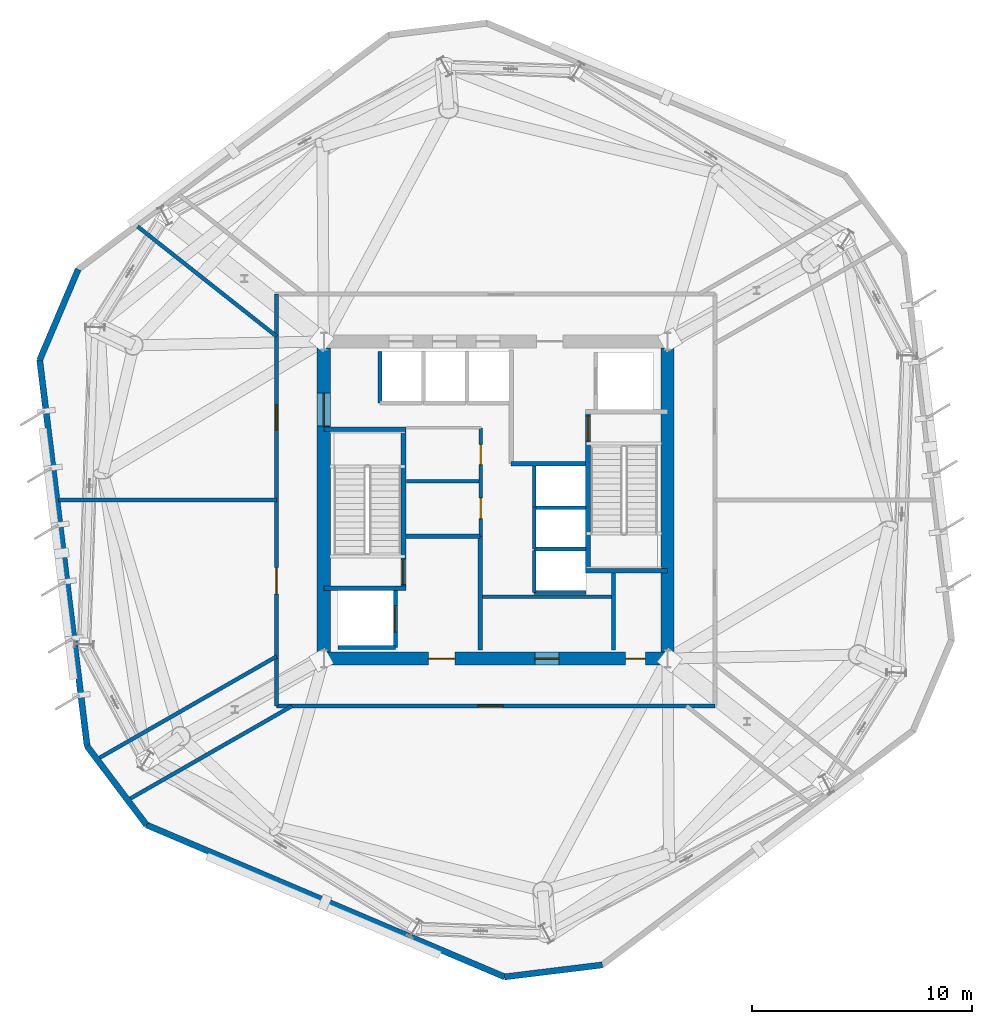
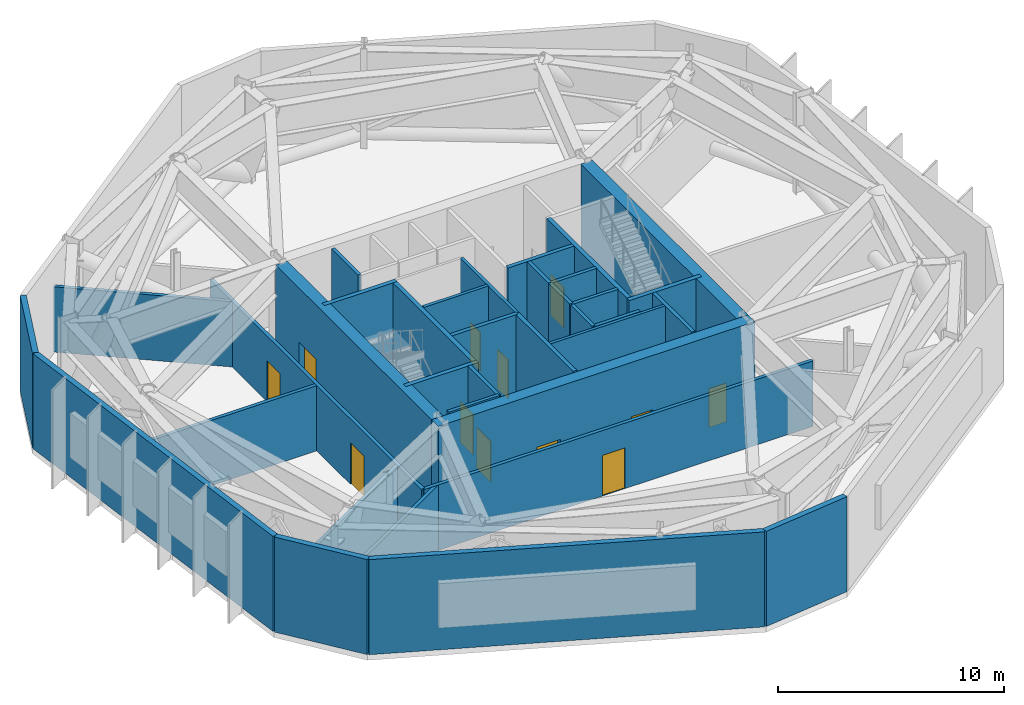
# One storey, part 6 of 11: 35 walls, 12 doors, 12 openings.
"""IFC4 building model written with IfcOpenShell, lengths in metres."""

from ifc_helpers import new_model, si_unit, direction, frame, frame_2d, origin, place, context, subcontext, project, spatial, rectangle, extrude, material, layer, layer_set, type_object, element, fill, save


model = new_model("IFC4")

# Units and contexts
model_context = context("Model", 3, precision=1e-05, world=origin(), true_north=direction((0.0, 1.0)))
body_context = subcontext(model_context, "Body", "Model", "MODEL_VIEW")
ifc_project = project(units=[si_unit("LENGTHUNIT", "METRE"), si_unit("AREAUNIT", "SQUARE_METRE"), si_unit("VOLUMEUNIT", "CUBIC_METRE"), si_unit("PLANEANGLEUNIT", "RADIAN"), si_unit("MASSUNIT", "GRAM", prefix="KILO")], contexts=[model_context])

# Site, building, storey
site_placement = place(None, origin())
site = spatial("IfcSite", under=ifc_project, at=site_placement, CompositionType="ELEMENT")
building_placement = place(site_placement, origin())
building = spatial("IfcBuilding", under=site, at=building_placement, Name="Kranzbogen Civic Tower", CompositionType="ELEMENT")
storey_placement = place(building_placement, frame((0.0, 0.0, 170.39990234375)))
storey = spatial("IfcBuildingStorey", under=building, at=storey_placement, Name="L41", CompositionType="ELEMENT", Elevation=170.39990234375)

# Wall
ifc_material_1 = material(Name="Double-Stud Acoustic Gypsum Partition")
ifc_layer_1 = layer(ifc_material_1, 0.14990234375, Name="Double-Stud Acoustic Gypsum Partition")
ifc_layer_set_1 = layer_set([ifc_layer_1], Name="Double-Stud Acoustic Gypsum Partition")
wall_type_1 = type_object("IfcWallType", Name="Acoustic Corridor and Clinical Partition 150 mm", PredefinedType="PARTITIONING", material=ifc_layer_set_1)
wall_1_placement = place(storey_placement, frame((24.39990234375, 20.610107421875, 0.0), z_axis=(0.0, 0.0, 1.0), x_axis=(1.0, 0.0, 0.0)))
element("IfcWall", 1, at=wall_1_placement, inside=storey, type_object=wall_type_1, Name="L41 records zone North wall", PredefinedType="PARTITIONING", context=body_context, shape_type="SweptSolid", body=[
    extrude(rectangle(XDim=5.900146484375, YDim=0.14990234375, at=frame_2d((2.9501953125, 0.0))), origin(), (0.0, 0.0, 1.0), 5.14013671875),
])

# Wall, openings, doors
ifc_material_2 = material(Name="Concrete C55/67", Category="concrete")
ifc_layer_2 = layer(ifc_material_2, 0.60009765625, Name="Concrete C55/67")
ifc_layer_set_2 = layer_set([ifc_layer_2], Name="Concrete C55/67")
wall_type_2 = type_object("IfcWallType", Name="Central Core Shear Wall 600 mm", PredefinedType="SHEAR", material=ifc_layer_set_2)
wall_2_placement = place(storey_placement, frame((16.89990234375, 17.800048828125, 0.0), z_axis=(0.0, 0.0, 1.0), x_axis=(1.0, 0.0, 0.0)))
wall_2 = element("IfcWall", 2, at=wall_2_placement, inside=storey, type_object=wall_type_2, Name="L41 central core South shear wall", PredefinedType="SHEAR", context=body_context, shape_type="SweptSolid", body=[
    extrude(rectangle(XDim=16.2001953125, YDim=0.60009765625, at=frame_2d((8.10009765625, 0.0))), origin(), (0.0, 0.0, 1.0), 5.14013671875),
])
opening_1_placement = place(wall_2_placement, frame((5.050048828125, 0.0, 0.0)))
opening_1 = element("IfcOpeningElement", 3, at=opening_1_placement, cuts=wall_2, Name="Opening D-EX120", PredefinedType="OPENING", context=body_context, shape_type="SweptSolid", body=[
    extrude(rectangle(XDim=1.199951171875, YDim=2.25, at=frame_2d((0.60009765625, 1.125))), frame((0.0, 0.31005859375, 0.0), z_axis=(0.0, -1.0, 0.0), x_axis=(1.0, 0.0, 0.0)), (0.0, 0.0, 1.0), 0.6201171875),
])
opening_2_placement = place(wall_2_placement, frame((14.0, 0.0, 0.0)))
opening_2 = element("IfcOpeningElement", 4, at=opening_2_placement, cuts=wall_2, Name="Opening D-WC90", PredefinedType="OPENING", context=body_context, shape_type="SweptSolid", body=[
    extrude(rectangle(XDim=0.89990234375, YDim=2.10009765625, at=frame_2d((0.449951171875, 1.050048828125))), frame((0.0, 0.31005859375, 0.0), z_axis=(0.0, -1.0, 0.0), x_axis=(1.0, 0.0, 0.0)), (0.0, 0.0, 1.0), 0.6201171875),
])
opening_3_placement = place(wall_2_placement, frame((9.875, 0.0, 0.0)))
opening_3 = element("IfcOpeningElement", 5, at=opening_3_placement, cuts=wall_2, Name="Opening D-COR60", PredefinedType="OPENING", context=body_context, shape_type="SweptSolid", body=[
    extrude(rectangle(XDim=1.10009765625, YDim=2.199951171875, at=frame_2d((0.550048828125, 1.10009765625))), frame((0.0, 0.31005859375, 0.0), z_axis=(0.0, -1.0, 0.0), x_axis=(1.0, 0.0, 0.0)), (0.0, 0.0, 1.0), 0.6201171875),
])
ifc_material_3 = material(Name="Oak Timber and Fire Core", Category="wood")
door_type_1 = type_object("IfcDoorType", Name="Corridor Acoustic Fire Door 1100x2200", OperationType="NOTDEFINED", PredefinedType="DOOR", material=ifc_material_3)
door_1_placement = place(opening_3_placement, origin())
door_1 = element("IfcDoor", 6, at=door_1_placement, inside=storey, type_object=door_type_1, Name="L41 REC1 archive room door", OperationType="SINGLE_SWING_RIGHT", OverallHeight=2.199951171875, OverallWidth=1.10009765625, PredefinedType="DOOR", context=body_context, shape_type="SweptSolid", body=[
    extrude(rectangle(XDim=1.10009765625, YDim=2.199951171875, at=frame_2d((0.550048828125, 1.10009765625))), frame((0.0, 0.02490234375, 0.0), z_axis=(0.0, -1.0, 0.0), x_axis=(1.0, 0.0, 0.0)), (0.0, 0.0, 1.0), 0.050048828125),
])
fill(opening_3, door_1)
ifc_material_4 = material(Name="Steel S355", Category="steel")
door_type_2 = type_object("IfcDoorType", Name="Exit Passageway Fire Door 1200x2250", OperationType="NOTDEFINED", PredefinedType="DOOR", material=ifc_material_4)
door_2_placement = place(opening_1_placement, origin())
door_2 = element("IfcDoor", 7, at=door_2_placement, inside=storey, type_object=door_type_2, Name="L41 West firefighting lobby corridor door", OperationType="SINGLE_SWING_LEFT", OverallHeight=2.25, OverallWidth=1.199951171875, PredefinedType="DOOR", context=body_context, shape_type="SweptSolid", body=[
    extrude(rectangle(XDim=1.199951171875, YDim=2.25, at=frame_2d((0.60009765625, 1.125))), frame((0.0, 0.02490234375, 0.0), z_axis=(0.0, -1.0, 0.0), x_axis=(1.0, 0.0, 0.0)), (0.0, 0.0, 1.0), 0.050048828125),
])
fill(opening_1, door_2)
ifc_material_5 = material(Name="Moisture-Resistant Laminate")
door_type_3 = type_object("IfcDoorType", Name="Standard Restroom and Store Door 900x2100", OperationType="NOTDEFINED", PredefinedType="DOOR", material=ifc_material_5)
door_3_placement = place(opening_2_placement, origin())
door_3 = element("IfcDoor", 8, at=door_3_placement, inside=storey, type_object=door_type_3, Name="L41 East electrical riser access door", OperationType="SINGLE_SWING_LEFT", OverallHeight=2.10009765625, OverallWidth=0.89990234375, PredefinedType="DOOR", context=body_context, shape_type="SweptSolid", body=[
    extrude(rectangle(XDim=0.89990234375, YDim=2.10009765625, at=frame_2d((0.449951171875, 1.050048828125))), frame((0.0, 0.02490234375, 0.0), z_axis=(0.0, -1.0, 0.0), x_axis=(1.0, 0.0, 0.0)), (0.0, 0.0, 1.0), 0.050048828125),
])
fill(opening_2, door_3)

# Wall, opening, door
wall_3_placement = place(storey_placement, frame((17.199951171875, 31.89990234375, 0.0), z_axis=(0.0, 0.0, 1.0), x_axis=(0.0, -1.0, 0.0)))
wall_3 = element("IfcWall", 9, at=wall_3_placement, inside=storey, type_object=wall_type_2, Name="L41 central core West shear wall", PredefinedType="SHEAR", context=body_context, shape_type="SweptSolid", body=[
    extrude(rectangle(XDim=13.7998046875, YDim=0.60009765625, at=frame_2d((6.89990234375, 0.0))), origin(), (0.0, 0.0, 1.0), 5.14013671875),
])
opening_4_placement = place(wall_3_placement, frame((2.050048828125, 0.0, 0.0)))
opening_4 = element("IfcOpeningElement", 10, at=opening_4_placement, cuts=wall_3, Name="Opening D-DBL15", PredefinedType="OPENING", context=body_context, shape_type="SweptSolid", body=[
    extrude(rectangle(XDim=1.5, YDim=2.199951171875, at=frame_2d((0.75, 1.10009765625))), frame((0.0, 0.31005859375, 0.0), z_axis=(0.0, -1.0, 0.0), x_axis=(1.0, 0.0, 0.0)), (0.0, 0.0, 1.0), 0.6201171875),
])
ifc_material_6 = material(Name="Anodised Bronze and Glass", Category="glass")
door_type_4 = type_object("IfcDoorType", Name="Civic Lobby Double Door 1500x2200", OperationType="DOUBLE_DOOR_SINGLE_SWING", PredefinedType="DOOR", material=ifc_material_6)
door_4_placement = place(opening_4_placement, origin())
door_4 = element("IfcDoor", 11, at=door_4_placement, inside=storey, type_object=door_type_4, Name="L41 Central Lift Lobby West concourse door", OperationType="DOUBLE_DOOR_SINGLE_SWING", OverallHeight=2.199951171875, OverallWidth=1.5, PredefinedType="DOOR", context=body_context, shape_type="SweptSolid", body=[
    extrude(rectangle(XDim=1.5, YDim=2.199951171875, at=frame_2d((0.75, 1.10009765625))), frame((0.0, 0.02490234375, 0.0), z_axis=(0.0, -1.0, 0.0), x_axis=(1.0, 0.0, 0.0)), (0.0, 0.0, 1.0), 0.050048828125),
])
fill(opening_4, door_4)

# Wall
wall_4_placement = place(storey_placement, frame((32.800048828125, 18.10009765625, 0.0), z_axis=(0.0, 0.0, 1.0), x_axis=(0.0, 1.0, 0.0)))
element("IfcWall", 12, at=wall_4_placement, inside=storey, type_object=wall_type_2, Name="L41 central core East shear wall", PredefinedType="SHEAR", context=body_context, shape_type="SweptSolid", body=[
    extrude(rectangle(XDim=13.7998046875, YDim=0.60009765625, at=frame_2d((6.89990234375, 0.0))), origin(), (0.0, 0.0, 1.0), 5.14013671875),
])

# Wall, opening, door
ifc_material_7 = material(Name="Concrete C45/55", Category="concrete")
ifc_layer_3 = layer(ifc_material_7, 0.219970703125, Name="Concrete C45/55")
ifc_layer_set_3 = layer_set([ifc_layer_3], Name="Concrete C45/55")
wall_type_3 = type_object("IfcWallType", Name="Core Internal Stair Structural Wall 220 mm", PredefinedType="SOLIDWALL", material=ifc_layer_set_3)
wall_5_placement = place(storey_placement, frame((20.81005859375, 20.989990234375, 0.0), z_axis=(0.0, 0.0, 1.0), x_axis=(0.0, 1.0, 0.0)))
wall_5 = element("IfcWall", 13, at=wall_5_placement, inside=storey, type_object=wall_type_3, Name="L41 ST-T1 East structural stair wall", PredefinedType="SOLIDWALL", context=body_context, shape_type="SweptSolid", body=[
    extrude(rectangle(XDim=7.219970703125, YDim=0.219970703125, at=frame_2d((3.60986328125, 0.0))), origin(), (0.0, 0.0, 1.0), 5.14013671875),
])
opening_5_placement = place(wall_5_placement, frame((0.179931640625, 0.0, 0.0)))
opening_5 = element("IfcOpeningElement", 14, at=opening_5_placement, cuts=wall_5, Name="Opening D-ST90", PredefinedType="OPENING", context=body_context, shape_type="SweptSolid", body=[
    extrude(rectangle(XDim=1.14990234375, YDim=2.199951171875, at=frame_2d((0.574951171875, 1.10009765625))), frame((0.0, 0.1201171875, 0.0), z_axis=(0.0, -1.0, 0.0), x_axis=(1.0, 0.0, 0.0)), (0.0, 0.0, 1.0), 0.239990234375),
])
door_type_5 = type_object("IfcDoorType", Name="Pressurized Stair and Lobby Fire Door 1150x2200", OperationType="NOTDEFINED", PredefinedType="DOOR", material=ifc_material_4)
door_5_placement = place(opening_5_placement, origin())
door_5 = element("IfcDoor", 15, at=door_5_placement, inside=storey, type_object=door_type_5, Name="L41 Stair ST-T1 fire door", OperationType="SINGLE_SWING_LEFT", OverallHeight=2.199951171875, OverallWidth=1.14990234375, PredefinedType="DOOR", context=body_context, shape_type="SweptSolid", body=[
    extrude(rectangle(XDim=1.14990234375, YDim=2.199951171875, at=frame_2d((0.574951171875, 1.10009765625))), frame((0.0, 0.02490234375, 0.0), z_axis=(0.0, -1.0, 0.0), x_axis=(1.0, 0.0, 0.0)), (0.0, 0.0, 1.0), 0.050048828125),
])
fill(opening_5, door_5)

# Walls
for number, where, z_axis, x_axis, name in (
    (16, (17.199951171875, 20.989990234375, 0.0), (0.0, 0.0, 1.0), (1.0, 0.0, 0.0), "L41 ST-T1 South structural stair wall"),
    (17, (17.199951171875, 28.2099609375, 0.0), (0.0, 0.0, 1.0), (1.0, 0.0, 0.0), "L41 ST-T1 North structural stair wall"),
):
    element("IfcWall", number, at=place(storey_placement, frame(where, z_axis=z_axis, x_axis=x_axis)), inside=storey, type_object=wall_type_3, Name=name, PredefinedType="SOLIDWALL", context=body_context, shape_type="SweptSolid", body=[
        extrude(rectangle(XDim=3.719970703125, YDim=0.219970703125, at=frame_2d((1.85986328125, 0.0))), origin(), (0.0, 0.0, 1.0), 5.14013671875),
    ])

# Wall, opening, door
wall_6_placement = place(storey_placement, frame((29.18994140625, 21.7900390625, 0.0), z_axis=(0.0, 0.0, 1.0), x_axis=(0.0, 1.0, 0.0)))
wall_6 = element("IfcWall", 18, at=wall_6_placement, inside=storey, type_object=wall_type_3, Name="L41 ST-T2 West structural stair wall", PredefinedType="SOLIDWALL", context=body_context, shape_type="SweptSolid", body=[
    extrude(rectangle(XDim=7.219970703125, YDim=0.219970703125, at=frame_2d((3.60986328125, 0.0))), origin(), (0.0, 0.0, 1.0), 5.14013671875),
])
opening_6_placement = place(wall_6_placement, frame((5.8798828125, 0.0, 0.0)))
opening_6 = element("IfcOpeningElement", 19, at=opening_6_placement, cuts=wall_6, Name="Opening D-ST90", PredefinedType="OPENING", context=body_context, shape_type="SweptSolid", body=[
    extrude(rectangle(XDim=1.14990234375, YDim=2.199951171875, at=frame_2d((0.574951171875, 1.10009765625))), frame((0.0, 0.1201171875, 0.0), z_axis=(0.0, -1.0, 0.0), x_axis=(1.0, 0.0, 0.0)), (0.0, 0.0, 1.0), 0.239990234375),
])
door_6_placement = place(opening_6_placement, origin())
door_6 = element("IfcDoor", 20, at=door_6_placement, inside=storey, type_object=door_type_5, Name="L41 Stair ST-T2 fire door", OperationType="SINGLE_SWING_RIGHT", OverallHeight=2.199951171875, OverallWidth=1.14990234375, PredefinedType="DOOR", context=body_context, shape_type="SweptSolid", body=[
    extrude(rectangle(XDim=1.14990234375, YDim=2.199951171875, at=frame_2d((0.574951171875, 1.10009765625))), frame((0.0, 0.02490234375, 0.0), z_axis=(0.0, -1.0, 0.0), x_axis=(1.0, 0.0, 0.0)), (0.0, 0.0, 1.0), 0.050048828125),
])
fill(opening_6, door_6)

# Walls
wall_7_placement = place(storey_placement, frame((29.080078125, 21.7900390625, 0.0), z_axis=(0.0, 0.0, 1.0), x_axis=(1.0, 0.0, 0.0)))
element("IfcWall", 21, at=wall_7_placement, inside=storey, type_object=wall_type_3, Name="L41 ST-T2 South structural stair wall", PredefinedType="SOLIDWALL", context=body_context, shape_type="SweptSolid", body=[
    extrude(rectangle(XDim=3.719970703125, YDim=0.219970703125, at=frame_2d((1.85986328125, 0.0))), origin(), (0.0, 0.0, 1.0), 5.14013671875),
])
ifc_material_8 = material(Name="Gypsum Fireboard and Concrete Block", Category="concrete")
ifc_layer_4 = layer(ifc_material_8, 0.199951171875, Name="Gypsum Fireboard and Concrete Block")
ifc_layer_set_4 = layer_set([ifc_layer_4], Name="Gypsum Fireboard and Concrete Block")
wall_type_4 = type_object("IfcWallType", Name="Fire-Rated Exit Passageway and Stair Wall 200 mm", PredefinedType="PARTITIONING", material=ifc_layer_set_4)
wall_8_placement = place(storey_placement, frame((24.300048828125, 18.199951171875, 0.0), z_axis=(0.0, 0.0, 1.0), x_axis=(0.0, 1.0, 0.0)))
element("IfcWall", 22, at=wall_8_placement, inside=storey, type_object=wall_type_4, Name="L41 West firefighting lobby East wall", PredefinedType="PARTITIONING", context=body_context, shape_type="SweptSolid", body=[
    extrude(rectangle(XDim=5.150146484375, YDim=0.199951171875, at=frame_2d((2.5751953125, 0.0))), origin(), (0.0, 0.0, 1.0), 5.14013671875),
])
for number, where, z_axis, x_axis, name in (
    (23, (20.919921875, 23.35009765625, 0.0), (0.0, 0.0, 1.0), (1.0, 0.0, 0.0), "L41 West firefighting lobby North wall"),
    (24, (25.699951171875, 26.64990234375, 0.0), (0.0, 0.0, 1.0), (1.0, 0.0, 0.0), "L41 East firefighting lobby South wall"),
):
    element("IfcWall", number, at=place(storey_placement, frame(where, z_axis=z_axis, x_axis=x_axis)), inside=storey, type_object=wall_type_4, Name=name, PredefinedType="PARTITIONING", context=body_context, shape_type="SweptSolid", body=[
        extrude(rectangle(XDim=3.380126953125, YDim=0.199951171875, at=frame_2d((1.68994140625, 0.0))), origin(), (0.0, 0.0, 1.0), 5.14013671875),
    ])
ifc_material_9 = material(Name="Gypsum Fireboard Shaftliner")
ifc_layer_5 = layer(ifc_material_9, 0.175048828125, Name="Gypsum Fireboard Shaftliner")
ifc_layer_set_5 = layer_set([ifc_layer_5], Name="Gypsum Fireboard Shaftliner")
wall_type_5 = type_object("IfcWallType", Name="Fire-Rated Lift and Service Shaft Wall 175 mm", PredefinedType="PARTITIONING", material=ifc_layer_set_5)
wall_9_placement = place(storey_placement, frame((30.35009765625, 18.199951171875, 0.0), z_axis=(0.0, 0.0, 1.0), x_axis=(0.0, 1.0, 0.0)))
element("IfcWall", 25, at=wall_9_placement, inside=storey, type_object=wall_type_5, Name="L41 East core riser West wall", PredefinedType="PARTITIONING", context=body_context, shape_type="SweptSolid", body=[
    extrude(rectangle(XDim=3.47998046875, YDim=0.175048828125, at=frame_2d((1.739990234375, 0.0))), origin(), (0.0, 0.0, 1.0), 5.14013671875),
])
wall_10_placement = place(storey_placement, frame((19.75, 29.39990234375, 0.0), z_axis=(0.0, 0.0, 1.0), x_axis=(0.0, 1.0, 0.0)))
element("IfcWall", 26, at=wall_10_placement, inside=storey, type_object=wall_type_5, Name="L41 lift MP-01 side wall", PredefinedType="PARTITIONING", context=body_context, shape_type="SweptSolid", body=[
    extrude(rectangle(XDim=2.35009765625, YDim=0.175048828125, at=frame_2d((1.175048828125, 0.0))), origin(), (0.0, 0.0, 1.0), 5.14013671875),
])
wall_11_placement = place(storey_placement, frame((26.75, 20.800048828125, 0.0), z_axis=(0.0, 0.0, 1.0), x_axis=(0.0, 1.0, 0.0)))
element("IfcWall", 27, at=wall_11_placement, inside=storey, type_object=wall_type_5, Name="L41 lift HP-01 landing wall", PredefinedType="PARTITIONING", context=body_context, shape_type="SweptSolid", body=[
    extrude(rectangle(XDim=1.89990234375, YDim=0.175048828125, at=frame_2d((0.949951171875, 0.0))), origin(), (0.0, 0.0, 1.0), 5.14013671875),
])
wall_12_placement = place(storey_placement, frame((26.75, 20.800048828125, 0.0), z_axis=(0.0, 0.0, 1.0), x_axis=(1.0, 0.0, 0.0)))
element("IfcWall", 28, at=wall_12_placement, inside=storey, type_object=wall_type_5, Name="L41 lift HP-01 side wall", PredefinedType="PARTITIONING", context=body_context, shape_type="SweptSolid", body=[
    extrude(rectangle(XDim=2.35009765625, YDim=0.175048828125, at=frame_2d((1.175048828125, 0.0))), origin(), (0.0, 0.0, 1.0), 5.14013671875),
])
wall_13_placement = place(storey_placement, frame((26.75, 22.77490234375, 0.0), z_axis=(0.0, 0.0, 1.0), x_axis=(0.0, 1.0, 0.0)))
element("IfcWall", 29, at=wall_13_placement, inside=storey, type_object=wall_type_5, Name="L41 lift HP-02 landing wall", PredefinedType="PARTITIONING", context=body_context, shape_type="SweptSolid", body=[
    extrude(rectangle(XDim=1.900146484375, YDim=0.175048828125, at=frame_2d((0.9501953125, 0.0))), origin(), (0.0, 0.0, 1.0), 5.14013671875),
])
wall_14_placement = place(storey_placement, frame((26.75, 22.77490234375, 0.0), z_axis=(0.0, 0.0, 1.0), x_axis=(1.0, 0.0, 0.0)))
element("IfcWall", 30, at=wall_14_placement, inside=storey, type_object=wall_type_5, Name="L41 lift HP-02 side wall", PredefinedType="PARTITIONING", context=body_context, shape_type="SweptSolid", body=[
    extrude(rectangle(XDim=2.35009765625, YDim=0.175048828125, at=frame_2d((1.175048828125, 0.0))), origin(), (0.0, 0.0, 1.0), 5.14013671875),
])
wall_15_placement = place(storey_placement, frame((26.75, 24.64990234375, 0.0), z_axis=(0.0, 0.0, 1.0), x_axis=(0.0, 1.0, 0.0)))
element("IfcWall", 31, at=wall_15_placement, inside=storey, type_object=wall_type_5, Name="L41 lift HP-03 landing wall", PredefinedType="PARTITIONING", context=body_context, shape_type="SweptSolid", body=[
    extrude(rectangle(XDim=1.900146484375, YDim=0.175048828125, at=frame_2d((0.9501953125, 0.0))), origin(), (0.0, 0.0, 1.0), 5.14013671875),
])
wall_16_placement = place(storey_placement, frame((26.75, 24.64990234375, 0.0), z_axis=(0.0, 0.0, 1.0), x_axis=(1.0, 0.0, 0.0)))
element("IfcWall", 32, at=wall_16_placement, inside=storey, type_object=wall_type_5, Name="L41 lift HP-03 side wall", PredefinedType="PARTITIONING", context=body_context, shape_type="SweptSolid", body=[
    extrude(rectangle(XDim=2.35009765625, YDim=0.175048828125, at=frame_2d((1.175048828125, 0.0))), origin(), (0.0, 0.0, 1.0), 5.14013671875),
])

# Wall, opening, door
wall_17_placement = place(storey_placement, frame((20.449951171875, 18.300048828125, 0.0), z_axis=(0.0, 0.0, 1.0), x_axis=(0.0, 1.0, 0.0)))
wall_17 = element("IfcWall", 33, at=wall_17_placement, inside=storey, type_object=wall_type_5, Name="L41 lift FF-01 landing wall", PredefinedType="PARTITIONING", context=body_context, shape_type="SweptSolid", body=[
    extrude(rectangle(XDim=2.599853515625, YDim=0.175048828125, at=frame_2d((1.2998046875, 0.0))), origin(), (0.0, 0.0, 1.0), 5.14013671875),
])
opening_7_placement = place(wall_17_placement, frame((0.699951171875, 0.0, 0.0)))
opening_7 = element("IfcOpeningElement", 34, at=opening_7_placement, cuts=wall_17, Name="Opening LD-FF-01", PredefinedType="OPENING", context=body_context, shape_type="SweptSolid", body=[
    extrude(rectangle(XDim=1.199951171875, YDim=2.199951171875, at=frame_2d((0.60009765625, 1.10009765625))), frame((0.0, 0.09765625, 0.0), z_axis=(0.0, -1.0, 0.0), x_axis=(1.0, 0.0, 0.0)), (0.0, 0.0, 1.0), 0.195068359375),
])
ifc_material_10 = material(Name="Pale Anodised Aluminium", Category="aluminium")
door_type_6 = type_object("IfcDoorType", Name="Firefighting and Stretcher Lift Sliding Landing Door 1200x2200", OperationType="DOUBLE_DOOR_SLIDING", PredefinedType="DOOR", material=ifc_material_10)
door_7_placement = place(opening_7_placement, origin())
door_7 = element("IfcDoor", 35, at=door_7_placement, inside=storey, type_object=door_type_6, Name="L41 lift FF-01 sliding landing door", OperationType="DOUBLE_DOOR_SLIDING", OverallHeight=2.199951171875, OverallWidth=1.199951171875, PredefinedType="DOOR", context=body_context, shape_type="SweptSolid", body=[
    extrude(rectangle(XDim=1.199951171875, YDim=2.199951171875, at=frame_2d((0.60009765625, 1.10009765625))), frame((0.0, 0.02490234375, 0.0), z_axis=(0.0, -1.0, 0.0), x_axis=(1.0, 0.0, 0.0)), (0.0, 0.0, 1.0), 0.050048828125),
])
fill(opening_7, door_7)

# Wall
wall_18_placement = place(storey_placement, frame((17.85009765625, 18.300048828125, 0.0), z_axis=(0.0, 0.0, 1.0), x_axis=(1.0, 0.0, 0.0)))
element("IfcWall", 36, at=wall_18_placement, inside=storey, type_object=wall_type_5, Name="L41 lift FF-01 side wall", PredefinedType="PARTITIONING", context=body_context, shape_type="SweptSolid", body=[
    extrude(rectangle(XDim=2.599853515625, YDim=0.175048828125, at=frame_2d((1.2998046875, 0.0))), origin(), (0.0, 0.0, 1.0), 5.14013671875),
])

# Wall, opening, door
wall_19_placement = place(storey_placement, frame((34.949951171875, 15.64990234375, 0.0), z_axis=(0.0, 0.0, 1.0), x_axis=(-1.0, 0.0, 0.0)))
wall_19 = element("IfcWall", 37, at=wall_19_placement, inside=storey, type_object=wall_type_5, Name="L41 corridor partition 03", PredefinedType="PARTITIONING", context=body_context, shape_type="SweptSolid", body=[
    extrude(rectangle(XDim=19.89990234375, YDim=0.175048828125, at=frame_2d((9.949951171875, 0.0))), origin(), (0.0, 0.0, 1.0), 3.5400390625),
])
opening_8_placement = place(wall_19_placement, frame((9.611083984375, 0.0, 0.0)))
opening_8 = element("IfcOpeningElement", 38, at=opening_8_placement, cuts=wall_19, Name="Opening D-ST90", PredefinedType="OPENING", context=body_context, shape_type="SweptSolid", body=[
    extrude(rectangle(XDim=1.14990234375, YDim=2.199951171875, at=frame_2d((0.574951171875, 1.10009765625))), frame((0.0, 0.09765625, 0.0), z_axis=(0.0, -1.0, 0.0), x_axis=(1.0, 0.0, 0.0)), (0.0, 0.0, 1.0), 0.195068359375),
])
door_8_placement = place(opening_8_placement, origin())
door_8 = element("IfcDoor", 39, at=door_8_placement, inside=storey, type_object=door_type_5, Name="L41 Primary Air Handling Plant Room door", OperationType="SINGLE_SWING_RIGHT", OverallHeight=2.199951171875, OverallWidth=1.14990234375, PredefinedType="DOOR", context=body_context, shape_type="SweptSolid", body=[
    extrude(rectangle(XDim=1.14990234375, YDim=2.199951171875, at=frame_2d((0.574951171875, 1.10009765625))), frame((0.0, 0.02490234375, 0.0), z_axis=(0.0, -1.0, 0.0), x_axis=(1.0, 0.0, 0.0)), (0.0, 0.0, 1.0), 0.050048828125),
])
fill(opening_8, door_8)

# Wall, openings, doors
wall_20_placement = place(storey_placement, frame((15.050048828125, 15.64990234375, 0.0), z_axis=(0.0, 0.0, 1.0), x_axis=(0.0, 1.0, 0.0)))
wall_20 = element("IfcWall", 40, at=wall_20_placement, inside=storey, type_object=wall_type_5, Name="L41 corridor partition 04", PredefinedType="PARTITIONING", context=body_context, shape_type="SweptSolid", body=[
    extrude(rectangle(XDim=18.7001953125, YDim=0.175048828125, at=frame_2d((9.35009765625, 0.0))), origin(), (0.0, 0.0, 1.0), 3.5400390625),
])
opening_9_placement = place(wall_20_placement, frame((5.0849609375, 0.0, 0.0)))
opening_9 = element("IfcOpeningElement", 41, at=opening_9_placement, cuts=wall_20, Name="Opening D-EX120", PredefinedType="OPENING", context=body_context, shape_type="SweptSolid", body=[
    extrude(rectangle(XDim=1.199951171875, YDim=2.25, at=frame_2d((0.60009765625, 1.125))), frame((0.0, 0.09765625, 0.0), z_axis=(0.0, -1.0, 0.0), x_axis=(1.0, 0.0, 0.0)), (0.0, 0.0, 1.0), 0.195068359375),
])
opening_10_placement = place(wall_20_placement, frame((12.52490234375, 0.0, 0.0)))
opening_10 = element("IfcOpeningElement", 42, at=opening_10_placement, cuts=wall_20, Name="Opening D-ST90", PredefinedType="OPENING", context=body_context, shape_type="SweptSolid", body=[
    extrude(rectangle(XDim=1.14990234375, YDim=2.199951171875, at=frame_2d((0.574951171875, 1.10009765625))), frame((0.0, 0.09765625, 0.0), z_axis=(0.0, -1.0, 0.0), x_axis=(1.0, 0.0, 0.0)), (0.0, 0.0, 1.0), 0.195068359375),
])
door_9_placement = place(opening_9_placement, origin())
door_9 = element("IfcDoor", 43, at=door_9_placement, inside=storey, type_object=door_type_2, Name="L41 Designated Fire Refuge Area door", OperationType="SINGLE_SWING_LEFT", OverallHeight=2.25, OverallWidth=1.199951171875, PredefinedType="DOOR", context=body_context, shape_type="SweptSolid", body=[
    extrude(rectangle(XDim=1.199951171875, YDim=2.25, at=frame_2d((0.60009765625, 1.125))), frame((0.0, 0.02490234375, 0.0), z_axis=(0.0, -1.0, 0.0), x_axis=(1.0, 0.0, 0.0)), (0.0, 0.0, 1.0), 0.050048828125),
])
fill(opening_9, door_9)
door_10_placement = place(opening_10_placement, origin())
door_10 = element("IfcDoor", 44, at=door_10_placement, inside=storey, type_object=door_type_5, Name="L41 Domestic Booster Water Plant door", OperationType="SINGLE_SWING_RIGHT", OverallHeight=2.199951171875, OverallWidth=1.14990234375, PredefinedType="DOOR", context=body_context, shape_type="SweptSolid", body=[
    extrude(rectangle(XDim=1.14990234375, YDim=2.199951171875, at=frame_2d((0.574951171875, 1.10009765625))), frame((0.0, 0.02490234375, 0.0), z_axis=(0.0, -1.0, 0.0), x_axis=(1.0, 0.0, 0.0)), (0.0, 0.0, 1.0), 0.050048828125),
])
fill(opening_10, door_10)

# Walls
wall_21_placement = place(storey_placement, frame((15.050048828125, 17.89404296875, 0.0), z_axis=(0.0, 0.0, 1.0), x_axis=(-0.867870917182, -0.496789765504, 0.0)))
element("IfcWall", 45, at=wall_21_placement, inside=storey, type_object=wall_type_5, Name="L41 radial room partition 01", PredefinedType="PARTITIONING", context=body_context, shape_type="SweptSolid", body=[
    extrude(rectangle(XDim=9.329833984375, YDim=0.175048828125, at=frame_2d((4.6650390625, 0.0))), origin(), (0.0, 0.0, 1.0), 3.530029296875),
])
wall_22_placement = place(storey_placement, frame((15.759033203125, 15.64990234375, 0.0), z_axis=(0.0, 0.0, 1.0), x_axis=(-0.86783997446, -0.49684381724, 0.0)))
element("IfcWall", 46, at=wall_22_placement, inside=storey, type_object=wall_type_5, Name="L41 radial room partition 02", PredefinedType="PARTITIONING", context=body_context, shape_type="SweptSolid", body=[
    extrude(rectangle(XDim=8.539794921875, YDim=0.175048828125, at=frame_2d((4.27001953125, 0.0))), origin(), (0.0, 0.0, 1.0), 3.530029296875),
])
wall_23_placement = place(storey_placement, frame((15.050048828125, 32.43310546875, 0.0), z_axis=(0.0, 0.0, 1.0), x_axis=(-0.784559222655, 0.620053889712, 0.0)))
element("IfcWall", 47, at=wall_23_placement, inside=storey, type_object=wall_type_5, Name="L41 radial room partition 08", PredefinedType="PARTITIONING", context=body_context, shape_type="SweptSolid", body=[
    extrude(rectangle(XDim=8.037841796875, YDim=0.175048828125, at=frame_2d((4.01904296875, 0.0))), origin(), (0.0, 0.0, 1.0), 3.530029296875),
])
wall_24_placement = place(storey_placement, frame((15.050048828125, 25.0, 0.0), z_axis=(0.0, 0.0, 1.0), x_axis=(-1.0, 0.0, 0.0)))
element("IfcWall", 48, at=wall_24_placement, inside=storey, type_object=wall_type_5, Name="L41 radial room partition 10", PredefinedType="PARTITIONING", context=body_context, shape_type="SweptSolid", body=[
    extrude(rectangle(XDim=9.89794921875, YDim=0.175048828125, at=frame_2d((4.948974609375, 0.0))), origin(), (0.0, 0.0, 1.0), 3.530029296875),
])
ifc_layer_6 = layer(ifc_material_10, 0.280029296875, Name="Pale Anodised Aluminium")
ifc_layer_set_6 = layer_set([ifc_layer_6], Name="Pale Anodised Aluminium")
wall_type_6 = type_object("IfcWallType", Name="Plant Acoustic Insulated Spandrel Wall 280 mm", PredefinedType="STANDARD", material=ifc_layer_set_6)
wall_25_placement = place(storey_placement, frame((6.0458984375, 35.47412109375, 0.0), z_axis=(0.0, 0.0, 1.0), x_axis=(-0.390733557702, -0.920503822309, 0.0)))
element("IfcWall", 49, at=wall_25_placement, inside=storey, type_object=wall_type_6, Name="L41 mechanical plant spandrel wall C2", PredefinedType="STANDARD", context=body_context, shape_type="SweptSolid", body=[
    extrude(rectangle(XDim=4.470703125, YDim=0.280029296875, at=frame_2d((2.2353515625, 0.0))), origin(), (0.0, 0.0, 1.0), 5.14013671875),
])
wall_26_placement = place(storey_placement, frame((4.299072265625, 31.35888671875, 0.0), z_axis=(0.0, 0.0, 1.0), x_axis=(0.121845687451, -0.992549055941, 0.0)))
element("IfcWall", 50, at=wall_26_placement, inside=storey, type_object=wall_type_6, Name="L41 mechanical plant spandrel wall M3", PredefinedType="STANDARD", context=body_context, shape_type="SweptSolid", body=[
    extrude(rectangle(XDim=17.66845703125, YDim=0.280029296875, at=frame_2d((8.834228515625, 0.0))), origin(), (0.0, 0.0, 1.0), 5.14013671875),
])
wall_27_placement = place(storey_placement, frame((6.451904296875, 13.822021484375, 0.0), z_axis=(0.0, 0.0, 1.0), x_axis=(0.601841660076, -0.798615436989, 0.0)))
element("IfcWall", 51, at=wall_27_placement, inside=storey, type_object=wall_type_6, Name="L41 mechanical plant spandrel wall C3", PredefinedType="STANDARD", context=body_context, shape_type="SweptSolid", body=[
    extrude(rectangle(XDim=4.471435546875, YDim=0.280029296875, at=frame_2d((2.23583984375, 0.0))), origin(), (0.0, 0.0, 1.0), 5.14013671875),
])
wall_28_placement = place(storey_placement, frame((9.14306640625, 10.2509765625, 0.0), z_axis=(0.0, 0.0, 1.0), x_axis=(0.920507541963, -0.390724794695, 0.0)))
element("IfcWall", 52, at=wall_28_placement, inside=storey, type_object=wall_type_6, Name="L41 mechanical plant spandrel wall M4", PredefinedType="STANDARD", context=body_context, shape_type="SweptSolid", body=[
    extrude(rectangle(XDim=17.66748046875, YDim=0.280029296875, at=frame_2d((8.833740234375, 0.0))), origin(), (0.0, 0.0, 1.0), 5.14013671875),
])
wall_29_placement = place(storey_placement, frame((25.406005859375, 3.347900390625, 0.0), z_axis=(0.0, 0.0, 1.0), x_axis=(0.992565806089, 0.121709163922, 0.0)))
element("IfcWall", 53, at=wall_29_placement, inside=storey, type_object=wall_type_6, Name="L41 mechanical plant spandrel wall C4", PredefinedType="STANDARD", context=body_context, shape_type="SweptSolid", body=[
    extrude(rectangle(XDim=4.47119140625, YDim=0.280029296875, at=frame_2d((2.235595703125, 0.0))), origin(), (0.0, 0.0, 1.0), 5.14013671875),
])

# Wall, openings, doors
ifc_material_11 = material(Name="Moisture-Resistant Gypsum Assembly")
ifc_layer_7 = layer(ifc_material_11, 0.159912109375, Name="Moisture-Resistant Gypsum Assembly")
ifc_layer_set_7 = layer_set([ifc_layer_7], Name="Moisture-Resistant Gypsum Assembly")
wall_type_7 = type_object("IfcWallType", Name="Sanitary and Plumbing Wet Wall 160 mm", PredefinedType="PLUMBINGWALL", material=ifc_layer_set_7)
wall_30_placement = place(storey_placement, frame((24.324951171875, 23.35009765625, 0.0), z_axis=(0.0, 0.0, 1.0), x_axis=(0.0, 1.0, 0.0)))
wall_30 = element("IfcWall", 54, at=wall_30_placement, inside=storey, type_object=wall_type_7, Name="L41 core auxiliary East wall", PredefinedType="PLUMBINGWALL", context=body_context, shape_type="SweptSolid", body=[
    extrude(rectangle(XDim=4.929931640625, YDim=0.159912109375, at=frame_2d((2.46484375, 0.0))), origin(), (0.0, 0.0, 1.0), 5.14013671875),
])
opening_11_placement = place(wall_30_placement, frame((0.800048828125, 0.0, 0.0)))
opening_11 = element("IfcOpeningElement", 55, at=opening_11_placement, cuts=wall_30, Name="Opening D-AWC95", PredefinedType="OPENING", context=body_context, shape_type="SweptSolid", body=[
    extrude(rectangle(XDim=0.949951171875, YDim=2.10009765625, at=frame_2d((0.47509765625, 1.050048828125))), frame((0.0, 0.08984375, 0.0), z_axis=(0.0, -1.0, 0.0), x_axis=(1.0, 0.0, 0.0)), (0.0, 0.0, 1.0), 0.179931640625),
])
opening_12_placement = place(wall_30_placement, frame((3.260009765625, 0.0, 0.0)))
opening_12 = element("IfcOpeningElement", 56, at=opening_12_placement, cuts=wall_30, Name="Opening D-WC90", PredefinedType="OPENING", context=body_context, shape_type="SweptSolid", body=[
    extrude(rectangle(XDim=0.89990234375, YDim=2.10009765625, at=frame_2d((0.449951171875, 1.050048828125))), frame((0.0, 0.08984375, 0.0), z_axis=(0.0, -1.0, 0.0), x_axis=(1.0, 0.0, 0.0)), (0.0, 0.0, 1.0), 0.179931640625),
])
door_type_7 = type_object("IfcDoorType", Name="Accessible Restroom Door 950x2100", OperationType="NOTDEFINED", PredefinedType="DOOR", material=ifc_material_5)
door_11_placement = place(opening_11_placement, origin())
door_11 = element("IfcDoor", 57, at=door_11_placement, inside=storey, type_object=door_type_7, Name="L41 Accessible Restroom door", OperationType="SINGLE_SWING_LEFT", OverallHeight=2.10009765625, OverallWidth=0.949951171875, PredefinedType="DOOR", context=body_context, shape_type="SweptSolid", body=[
    extrude(rectangle(XDim=0.949951171875, YDim=2.10009765625, at=frame_2d((0.47509765625, 1.050048828125))), frame((0.0, 0.02490234375, 0.0), z_axis=(0.0, -1.0, 0.0), x_axis=(1.0, 0.0, 0.0)), (0.0, 0.0, 1.0), 0.050048828125),
])
fill(opening_11, door_11)
door_12_placement = place(opening_12_placement, origin())
door_12 = element("IfcDoor", 58, at=door_12_placement, inside=storey, type_object=door_type_3, Name="L41 Staff Restroom door", OperationType="SINGLE_SWING_RIGHT", OverallHeight=2.10009765625, OverallWidth=0.89990234375, PredefinedType="DOOR", context=body_context, shape_type="SweptSolid", body=[
    extrude(rectangle(XDim=0.89990234375, YDim=2.10009765625, at=frame_2d((0.449951171875, 1.050048828125))), frame((0.0, 0.02490234375, 0.0), z_axis=(0.0, -1.0, 0.0), x_axis=(1.0, 0.0, 0.0)), (0.0, 0.0, 1.0), 0.050048828125),
])
fill(opening_12, door_12)

# Wall
wall_31_placement = place(storey_placement, frame((20.949951171875, 25.860107421875, 0.0), z_axis=(0.0, 0.0, 1.0), x_axis=(1.0, 0.0, 0.0)))
element("IfcWall", 59, at=wall_31_placement, inside=storey, type_object=wall_type_7, Name="L41 core auxiliary partition 1", PredefinedType="PLUMBINGWALL", context=body_context, shape_type="SweptSolid", body=[
    extrude(rectangle(XDim=3.300048828125, YDim=0.159912109375, at=frame_2d((1.64990234375, 0.0))), origin(), (0.0, 0.0, 1.0), 5.14013671875),
])

save(model, "model.ifc")
